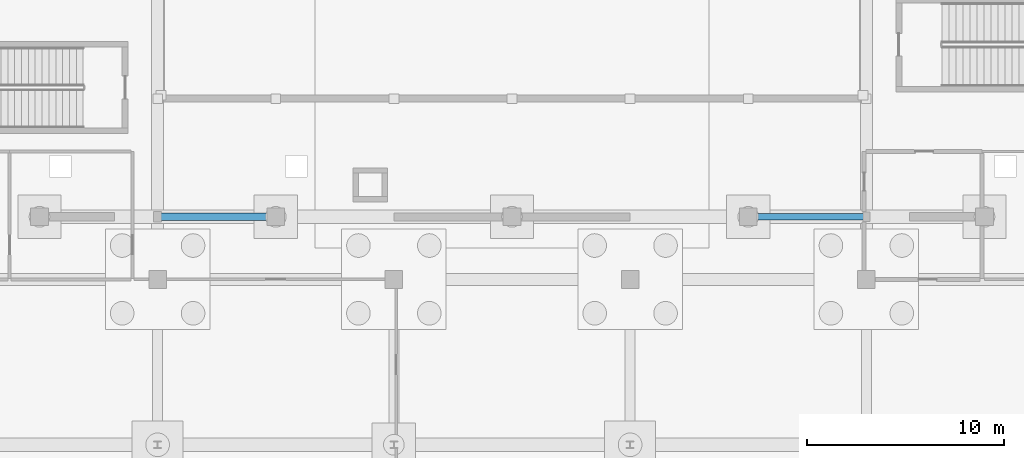
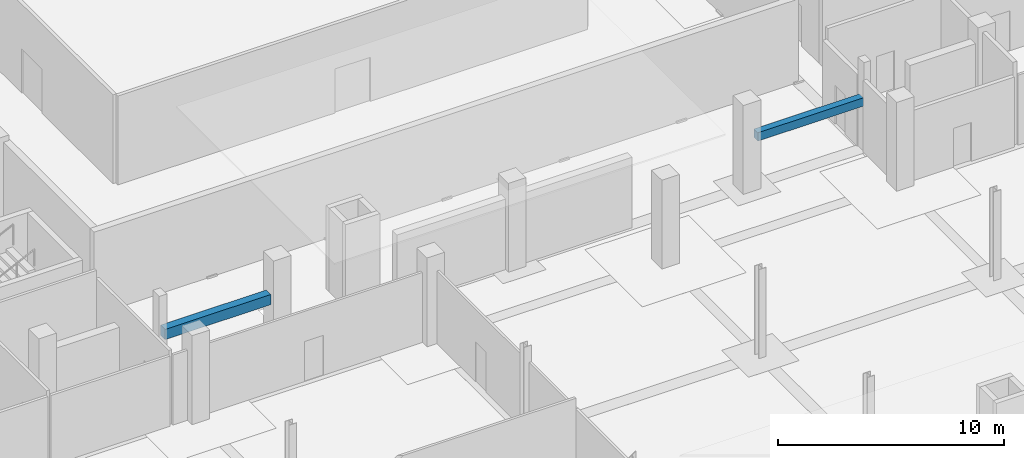
# One storey, part 33 of 82: 2 beams.
"""IFC4 building model written with IfcOpenShell, lengths in metres."""

from ifc_helpers import new_model, si_unit, direction, frame, origin, origin_2d, place, context, subcontext, project, spatial, rectangle, extrude, material, material_profile, profile_set, type_object, element, save


model = new_model("IFC4")

# Units and contexts
model_context = context("Model", 3, precision=1e-05, world=origin(), true_north=direction((0.0, 1.0)))
body_context = subcontext(model_context, "Body", "Model", "MODEL_VIEW")
ifc_project = project(units=[si_unit("LENGTHUNIT", "METRE"), si_unit("AREAUNIT", "SQUARE_METRE"), si_unit("VOLUMEUNIT", "CUBIC_METRE"), si_unit("PLANEANGLEUNIT", "RADIAN"), si_unit("MASSUNIT", "GRAM", prefix="KILO")], contexts=[model_context])

# Site, building, storey
site_placement = place(None, origin())
site = spatial("IfcSite", under=ifc_project, at=site_placement, CompositionType="ELEMENT")
building_placement = place(site_placement, origin())
building = spatial("IfcBuilding", under=site, at=building_placement, Name="Kelmvaro Bay Concert Hall", CompositionType="ELEMENT")
storey_placement = place(building_placement, origin())
storey = spatial("IfcBuildingStorey", under=building, at=storey_placement, Name="L00", CompositionType="ELEMENT", Elevation=0.0)

# Beams
ifc_material_1 = material(Name="Concrete C40/50", Category="concrete")
ifc_material_profile_1 = material_profile(ifc_material_1, rectangle(XDim=0.39990234375, YDim=0.550048828125, at=origin_2d()), Name="RC-LNT-400X550")
ifc_profile_set_1 = profile_set([ifc_material_profile_1], Name="Concrete C40/50")
beam_type_1 = type_object("IfcBeamType", Name="Acoustic Sound Lock Lintel RC400x550", PredefinedType="LINTEL", material=ifc_profile_set_1)
beam_1_placement = place(storey_placement, frame((12.14990234375, 68.580078125, 2.574951171875), z_axis=(1.0, 0.0, 0.0), x_axis=(0.0, 1.0, 0.0)))
element("IfcBeam", 1, at=beam_1_placement, inside=storey, type_object=beam_type_1, Name="L00 Acoustic Portal Lintel S1", PredefinedType="LINTEL", context=body_context, shape_type="SweptSolid", body=[
    extrude(rectangle(XDim=0.39990234375, YDim=0.550048828125, at=origin_2d()), origin(), (0.0, 0.0, 1.0), 5.400146484375),
])
ifc_material_2 = material(Name="Concrete C40/50", Category="concrete")
ifc_material_profile_2 = material_profile(ifc_material_2, rectangle(XDim=0.35009765625, YDim=0.449951171875, at=origin_2d()), Name="RC-LNT-350X450")
ifc_profile_set_2 = profile_set([ifc_material_profile_2], Name="Concrete C40/50")
beam_type_2 = type_object("IfcBeamType", Name="Service Opening Lintel RC350x450", PredefinedType="LINTEL", material=ifc_profile_set_2)
beam_2_placement = place(storey_placement, frame((42.449951171875, 68.580078125, 2.625), z_axis=(1.0, 0.0, 0.0), x_axis=(0.0, 1.0, 0.0)))
element("IfcBeam", 2, at=beam_2_placement, inside=storey, type_object=beam_type_2, Name="L00 Acoustic Portal Lintel S2", PredefinedType="LINTEL", context=body_context, shape_type="SweptSolid", body=[
    extrude(rectangle(XDim=0.35009765625, YDim=0.449951171875, at=origin_2d()), origin(), (0.0, 0.0, 1.0), 5.400146484375),
])

save(model, "model.ifc")
